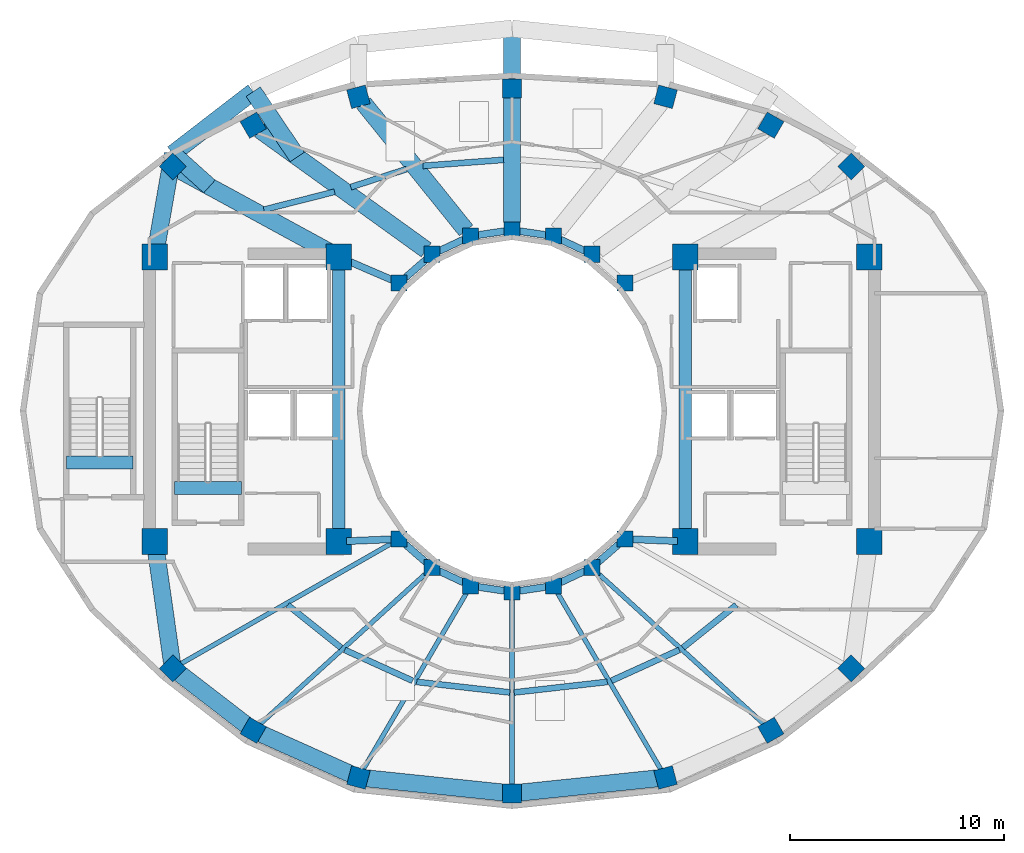
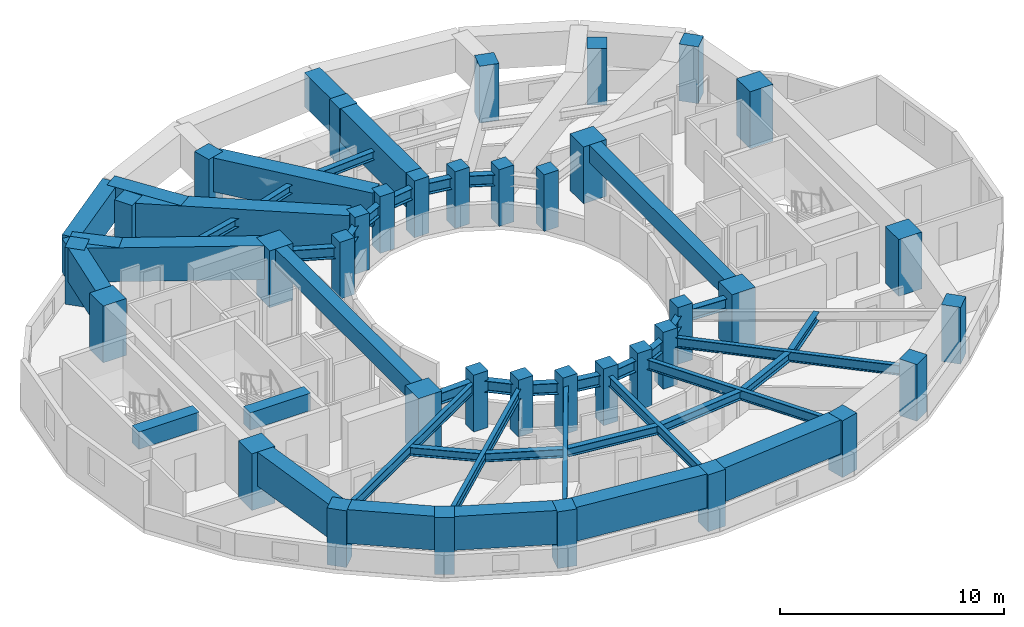
# One storey, part 1 of 9: 46 beams, 36 columns.
"""IFC4 building model written with IfcOpenShell, lengths in metres."""

import ifcopenshell
import ifcopenshell.guid

model = None  # the IFC model being written
_history = None  # IfcOwnerHistory: only IFC2X3 demands one
_inside = {}  # id of a spatial element -> (the spatial element, [elements in it])
_under = {}  # id of a project, library or spatial element -> (it, [spatial elements below it])
_declared = {}  # id of a project -> (the project, [libraries it declares])
_typed = {}  # id of a type object -> (the type object, [elements of that type])
_made_of = {}  # id of a material, layer set ... -> (it, [elements and type objects made of it])


def new_model(schema):
    """Start an empty IFC model of exactly this schema.

    Asked for "IFC4X3", IfcOpenShell would pick the latest addendum, in which some entities
    have other attributes; the version numbers below select the first issue.
    IFC2X3 requires an IfcOwnerHistory on every rooted entity: one is made here for all.
    """
    global model, _history
    if schema == "IFC4X3":
        model = ifcopenshell.file(schema_version=(4, 3, 0, 0))
    else:
        model = ifcopenshell.file(schema=schema)
    _inside.clear()
    _under.clear()
    _declared.clear()
    _typed.clear()
    _made_of.clear()
    _history = None
    if model.schema == "IFC2X3":
        org = make("IfcOrganization", Name="unknown")
        user = make(
            "IfcPersonAndOrganization",
            ThePerson=make("IfcPerson", FamilyName="unknown"),
            TheOrganization=org,
        )
        app = make(
            "IfcApplication",
            ApplicationDeveloper=org,
            Version="unknown",
            ApplicationFullName="unknown",
            ApplicationIdentifier="unknown",
        )
        _history = make(
            "IfcOwnerHistory",
            OwningUser=user,
            OwningApplication=app,
            ChangeAction="ADDED",
            CreationDate=0,
        )
    return model


def make(cls, **values):
    """One entity of the class cls with the attributes given. An attribute that is None is left unset."""
    return model.create_entity(
        cls, **{name: value for name, value in values.items() if value is not None}
    )


def rooted(cls, **values):
    """An entity with a GlobalId (a new one), such as an element, a storey or a relation."""
    return make(cls, GlobalId=ifcopenshell.guid.new(), OwnerHistory=_history, **values)


def si_unit(unit_type, name, prefix=None):
    """IfcSIUnit, for example si_unit("LENGTHUNIT", "METRE", prefix="MILLI")."""
    return make("IfcSIUnit", UnitType=unit_type, Prefix=prefix, Name=name)


def assignment(units):
    """IfcUnitAssignment: the units of a project."""
    return None if units is None else make("IfcUnitAssignment", Units=units)


def point(xyz):
    """IfcCartesianPoint."""
    return None if xyz is None else make("IfcCartesianPoint", Coordinates=xyz)


def direction(xyz):
    """IfcDirection."""
    return None if xyz is None else make("IfcDirection", DirectionRatios=xyz)


def frame(location, z_axis=None, x_axis=None):
    """IfcAxis2Placement3D, a coordinate frame: its origin and axes. An axis left out is left unset."""
    return make(
        "IfcAxis2Placement3D",
        Location=point(location),
        Axis=direction(z_axis),
        RefDirection=direction(x_axis),
    )


def frame_2d(location, x_axis=None):
    """IfcAxis2Placement2D, a coordinate frame in the plane: its origin and x axis."""
    return make(
        "IfcAxis2Placement2D", Location=point(location), RefDirection=direction(x_axis)
    )


def origin():
    """The frame at (0, 0, 0) with its axes left unset."""
    return frame((0.0, 0.0, 0.0))


def origin_2d():
    """The frame at (0, 0) in the plane with its x axis left unset."""
    return frame_2d((0.0, 0.0))


def place(relative_to, where):
    """IfcLocalPlacement: puts the frame where relative to a parent placement (None: the world)."""
    return make(
        "IfcLocalPlacement", PlacementRelTo=relative_to, RelativePlacement=where
    )


def context(
    kind, dimensions, precision=None, world=None, true_north=None, identifier=None
):
    """IfcGeometricRepresentationContext, for example the 3D "Model" context."""
    return make(
        "IfcGeometricRepresentationContext",
        ContextIdentifier=identifier,
        ContextType=kind,
        CoordinateSpaceDimension=dimensions,
        Precision=precision,
        WorldCoordinateSystem=world,
        TrueNorth=true_north,
    )


def subcontext(parent, identifier, kind, view, scale=None):
    """IfcGeometricRepresentationSubContext, for example "Body" below "Model"."""
    return make(
        "IfcGeometricRepresentationSubContext",
        ContextIdentifier=identifier,
        ContextType=kind,
        ParentContext=parent,
        TargetScale=scale,
        TargetView=view,
    )


def project(units=None, contexts=None):
    """IfcProject with its units and contexts."""
    return rooted(
        "IfcProject",
        Name="project",
        RepresentationContexts=contexts,
        UnitsInContext=assignment(units),
    )


def spatial(cls, under=None, at=None, **own):
    """A site, building, storey or space (cls), placed at a placement, below another one or the project."""
    s = rooted(cls, ObjectPlacement=at, **own)
    if under is not None:
        _under.setdefault(under.id(), (under, []))[1].append(s)
    return s


def profile(cls, at=None, kind="AREA", **sizes):
    """A parametric profile (cls). Its sizes go by their IFC names, for example OverallWidth=200.0."""
    return make(cls, ProfileType=kind, Position=at, **sizes)


def rectangle(**sizes):
    """IfcRectangleProfileDef."""
    return profile("IfcRectangleProfileDef", **sizes)


def i_section(**sizes):
    """IfcIShapeProfileDef."""
    return profile("IfcIShapeProfileDef", **sizes)


def extrude(swept, where, along, depth):
    """IfcExtrudedAreaSolid: the profile swept, set in the frame where, extruded along a direction by depth."""
    return make(
        "IfcExtrudedAreaSolid",
        SweptArea=swept,
        Position=where,
        ExtrudedDirection=direction(along),
        Depth=depth,
    )


def shape(context_of_items, identifier, shape_type, items):
    """IfcShapeRepresentation: the items that make up one representation, for example the "Body"."""
    return make(
        "IfcShapeRepresentation",
        ContextOfItems=context_of_items,
        RepresentationIdentifier=identifier,
        RepresentationType=shape_type,
        Items=items,
    )


def material(Name=None, Category=None):
    """IfcMaterial."""
    return make("IfcMaterial", Name=Name, Category=Category)


def material_profile(
    of_material, cross_section, Name=None, Category=None, Priority=None
):
    """IfcMaterialProfile: a cross section and its material."""
    return make(
        "IfcMaterialProfile",
        Name=Name,
        Material=of_material,
        Profile=cross_section,
        Priority=Priority,
        Category=Category,
    )


def profile_set(profiles, Name=None, composite=None):
    """IfcMaterialProfileSet."""
    return make(
        "IfcMaterialProfileSet",
        Name=Name,
        MaterialProfiles=profiles,
        CompositeProfile=composite,
    )


def made_of(thing, what):
    """Note that an element or type object is made of a material, layer set ...; save() writes the relation."""
    if what is not None:
        _made_of.setdefault(what.id(), (what, []))[1].append(thing)
    return thing


def type_object(cls, material=None, **own):
    """A type object (cls), such as IfcWallType, which elements share."""
    return made_of(rooted(cls, **own), material)


def element(
    cls,
    number,
    at=None,
    inside=None,
    cuts=None,
    type_object=None,
    material=None,
    context=None,
    identifier="Body",
    shape_type=None,
    held_by="IfcProductDefinitionShape",
    body=None,
    shapes=None,
    **own,
):
    """One element of the class cls, such as IfcWall. Its Tag is "e" and its number.

    at: its placement. inside: the storey or other place that contains it. cuts: it is an
    opening in that element (IfcRelVoidsElement). A single representation is given by context,
    identifier, shape_type and body (its items); several are given by shapes. held_by: the class
    of the entity that holds the representations. save() writes the other relations.
    """
    e = rooted(cls, Tag="e%d" % number, ObjectPlacement=at, **own)
    if body is not None:
        shapes = [shape(context, identifier, shape_type, body)]
    if shapes is not None:
        e.Representation = make(held_by, Representations=shapes)
    if inside is not None:
        _inside.setdefault(inside.id(), (inside, []))[1].append(e)
    if cuts is not None:
        rooted(
            "IfcRelVoidsElement", RelatingBuildingElement=cuts, RelatedOpeningElement=e
        )
    if type_object is not None:
        _typed.setdefault(type_object.id(), (type_object, []))[1].append(e)
    return made_of(e, material)


def aggregate(whole, parts):
    """IfcRelAggregates: a whole, such as a stair, and the parts it consists of."""
    return rooted("IfcRelAggregates", RelatingObject=whole, RelatedObjects=parts)


def save(model, path):
    """Write the relations noted so far, then the file.

    IfcRelAggregates (storeys below a building ...), IfcRelContainedInSpatialStructure (elements
    in a storey), IfcRelDefinesByType, IfcRelAssociatesMaterial and IfcRelDeclares: one each for
    every whole, place, type object, material and project.
    """
    for whole, parts in _under.values():
        aggregate(whole, parts)
    for where, things in _inside.values():
        rooted(
            "IfcRelContainedInSpatialStructure",
            RelatedElements=things,
            RelatingStructure=where,
        )
    for kind, things in _typed.values():
        rooted("IfcRelDefinesByType", RelatedObjects=things, RelatingType=kind)
    for what, things in _made_of.values():
        rooted("IfcRelAssociatesMaterial", RelatedObjects=things, RelatingMaterial=what)
    for by, libraries in _declared.values():
        rooted("IfcRelDeclares", RelatingContext=by, RelatedDefinitions=libraries)
    model.write(path)


model = new_model("IFC4")

# Units and contexts
model_context = context("Model", 3, precision=1e-05, world=origin(), true_north=direction((0.0, 1.0)))
body_context = subcontext(model_context, "Body", "Model", "MODEL_VIEW")
ifc_project = project(units=[si_unit("LENGTHUNIT", "METRE"), si_unit("AREAUNIT", "SQUARE_METRE"), si_unit("VOLUMEUNIT", "CUBIC_METRE"), si_unit("PLANEANGLEUNIT", "RADIAN"), si_unit("MASSUNIT", "GRAM", prefix="KILO")], contexts=[model_context])

# Site, building, storey
site_placement = place(None, origin())
site = spatial("IfcSite", under=ifc_project, at=site_placement, CompositionType="ELEMENT")
building_placement = place(site_placement, origin())
building = spatial("IfcBuilding", under=site, at=building_placement, Name="Solvane Sanctuary Tower", CompositionType="ELEMENT")
storey_placement = place(building_placement, frame((0.0, 0.0, 177.699951171875)))
storey = spatial("IfcBuildingStorey", under=building, at=storey_placement, Name="L54", CompositionType="ELEMENT", Elevation=177.699951171875)

# Columns
ifc_material_1 = material(Name="Concrete C50/60", Category="concrete")
ifc_material_profile_1 = material_profile(ifc_material_1, rectangle(XDim=0.75, YDim=0.75, at=origin_2d()), Name="RC750X750")
ifc_profile_set_1 = profile_set([ifc_material_profile_1], Name="Concrete C50/60")
column_type_1 = type_object("IfcColumnType", Name="Column C-RING-Z3 RC750X750", PredefinedType="COLUMN", material=ifc_profile_set_1)
for number, where, z_axis, x_axis, name in (
    (1, (37.27490234375, 28.982177734375, 0.0), (0.0, 0.0, 1.0), (1.0, 0.0, 0.0), "L54 Inner Light-Well Ring Column IC01"),
    (2, (35.72998046875, 30.32666015625, 0.0), (0.0, 0.0, 1.0), (1.0, 0.0, 0.0), "L54 Inner Light-Well Ring Column IC02"),
    (3, (33.930908203125, 31.171630859375, 0.0), (0.0, 0.0, 1.0), (1.0, 0.0, 0.0), "L54 Inner Light-Well Ring Column IC03"),
    (4, (32.0, 31.4599609375, 0.0), (0.0, 0.0, 1.0), (1.0, 0.0, 0.0), "L54 Inner Light-Well Ring Column IC04"),
    (5, (30.069091796875, 31.171630859375, 0.0), (0.0, 0.0, 1.0), (1.0, 0.0, 0.0), "L54 Inner Light-Well Ring Column IC05"),
    (6, (28.27001953125, 30.32666015625, 0.0), (0.0, 0.0, 1.0), (1.0, 0.0, 0.0), "L54 Inner Light-Well Ring Column IC06"),
    (7, (26.72509765625, 28.982177734375, 0.0), (0.0, 0.0, 1.0), (1.0, 0.0, 0.0), "L54 Inner Light-Well Ring Column IC07"),
    (8, (26.72509765625, 17.017822265625, 0.0), (0.0, 0.0, 1.0), (1.0, 0.0, 0.0), "L54 Inner Light-Well Ring Column IC08"),
    (9, (28.27001953125, 15.67333984375, 0.0), (0.0, 0.0, 1.0), (1.0, 0.0, 0.0), "L54 Inner Light-Well Ring Column IC09"),
    (10, (30.069091796875, 14.828369140625, 0.0), (0.0, 0.0, 1.0), (1.0, 0.0, 0.0), "L54 Inner Light-Well Ring Column IC10"),
    (11, (32.0, 14.5400390625, 0.0), (0.0, 0.0, 1.0), (1.0, 0.0, 0.0), "L54 Inner Light-Well Ring Column IC11"),
    (12, (33.930908203125, 14.828369140625, 0.0), (0.0, 0.0, 1.0), (1.0, 0.0, 0.0), "L54 Inner Light-Well Ring Column IC12"),
    (13, (35.72998046875, 15.67333984375, 0.0), (0.0, 0.0, 1.0), (1.0, 0.0, 0.0), "L54 Inner Light-Well Ring Column IC13"),
    (14, (37.27490234375, 17.017822265625, 0.0), (0.0, 0.0, 1.0), (1.0, 0.0, 0.0), "L54 Inner Light-Well Ring Column IC14"),
):
    element("IfcColumn", number, at=place(storey_placement, frame(where, z_axis=z_axis, x_axis=x_axis)), inside=storey, type_object=column_type_1, Name=name, PredefinedType="COLUMN", context=body_context, shape_type="SweptSolid", body=[
        extrude(rectangle(XDim=0.75, YDim=0.75, at=origin_2d()), origin(), (0.0, 0.0, 1.0), 3.10009765625),
    ])
ifc_material_2 = material(Name="Concrete C70/85", Category="concrete")
ifc_material_profile_2 = material_profile(ifc_material_2, rectangle(XDim=1.199951171875, YDim=1.199951171875, at=origin_2d()), Name="RC1200X1200")
ifc_profile_set_2 = profile_set([ifc_material_profile_2], Name="Concrete C70/85")
column_type_2 = type_object("IfcColumnType", Name="Column C-TUBE-Z1 RC1200X1200", PredefinedType="COLUMN", material=ifc_profile_set_2)
for number, where, z_axis, x_axis, name in (
    (15, (15.300048828125, 16.89990234375, 0.0), (0.0, 0.0, 1.0), (1.0, 0.0, 0.0), "L54 Core Corner Column CW1"),
    (16, (23.89990234375, 16.89990234375, 0.0), (0.0, 0.0, 1.0), (1.0, 0.0, 0.0), "L54 Core Corner Column CW2"),
    (17, (23.89990234375, 30.199951171875, 0.0), (0.0, 0.0, 1.0), (1.0, 0.0, 0.0), "L54 Core Corner Column CW3"),
    (18, (15.300048828125, 30.199951171875, 0.0), (0.0, 0.0, 1.0), (1.0, 0.0, 0.0), "L54 Core Corner Column CW4"),
    (19, (40.10009765625, 16.89990234375, 0.0), (0.0, 0.0, 1.0), (1.0, 0.0, 0.0), "L54 Core Corner Column CE1"),
    (20, (48.699951171875, 16.89990234375, 0.0), (0.0, 0.0, 1.0), (1.0, 0.0, 0.0), "L54 Core Corner Column CE2"),
    (21, (48.699951171875, 30.199951171875, 0.0), (0.0, 0.0, 1.0), (1.0, 0.0, 0.0), "L54 Core Corner Column CE3"),
    (22, (40.10009765625, 30.199951171875, 0.0), (0.0, 0.0, 1.0), (1.0, 0.0, 0.0), "L54 Core Corner Column CE4"),
):
    element("IfcColumn", number, at=place(storey_placement, frame(where, z_axis=z_axis, x_axis=x_axis)), inside=storey, type_object=column_type_2, Name=name, PredefinedType="COLUMN", context=body_context, shape_type="SweptSolid", body=[
        extrude(rectangle(XDim=1.199951171875, YDim=1.199951171875, at=origin_2d()), origin(), (0.0, 0.0, 1.0), 3.10009765625),
    ])
ifc_material_3 = material(Name="Concrete C60/75", Category="concrete")
ifc_material_profile_3 = material_profile(ifc_material_3, rectangle(XDim=0.89990234375, YDim=0.89990234375, at=origin_2d()), Name="RC900X900")
ifc_profile_set_3 = profile_set([ifc_material_profile_3], Name="Concrete C60/75")
column_type_3 = type_object("IfcColumnType", Name="Column C-TUBE-Z3 RC900X900", PredefinedType="COLUMN", material=ifc_profile_set_3)
for number, where, z_axis, x_axis, name in (
    (23, (47.856689453125, 34.426513671875, 0.0), (0.0, 0.0, 1.0), (0.707106781187, 0.707106781187, 0.0), "L54 Perimeter Tube Column TC01"),
    (24, (44.09814453125, 36.359375, 0.0), (0.0, 0.0, 1.0), (0.5, 0.866025403784, 0.0), "L54 Perimeter Tube Column TC02"),
    (25, (39.17822265625, 37.686767578125, 0.0), (0.0, 0.0, 1.0), (0.258819045103, 0.965925826289, 0.0), "L54 Perimeter Tube Column TC03"),
    (26, (32.0, 38.080078125, 0.0), (0.0, 0.0, 1.0), (0.0, 1.0, 0.0), "L54 Perimeter Tube Column TC04"),
    (27, (24.82177734375, 37.686767578125, 0.0), (0.0, 0.0, 1.0), (-0.258819045103, 0.965925826289, 0.0), "L54 Perimeter Tube Column TC05"),
    (28, (19.90185546875, 36.359375, 0.0), (0.0, 0.0, 1.0), (-0.5, 0.866025403784, 0.0), "L54 Perimeter Tube Column TC06"),
    (29, (16.143310546875, 34.426513671875, 0.0), (0.0, 0.0, 1.0), (-0.707106781187, 0.707106781187, 0.0), "L54 Perimeter Tube Column TC07"),
    (30, (16.143310546875, 10.968994140625, 0.0), (0.0, 0.0, 1.0), (-0.707106781187, -0.707106781187, 0.0), "L54 Perimeter Tube Column TC08"),
    (31, (19.90185546875, 8.072021484375, 0.0), (0.0, 0.0, 1.0), (-0.5, -0.866025403784, 0.0), "L54 Perimeter Tube Column TC09"),
    (32, (24.82177734375, 5.865478515625, 0.0), (0.0, 0.0, 1.0), (-0.258819045103, -0.965925826289, 0.0), "L54 Perimeter Tube Column TC10"),
    (33, (32.0, 5.1201171875, 0.0), (0.0, 0.0, 1.0), (0.0, -1.0, 0.0), "L54 Perimeter Tube Column TC11"),
    (34, (39.17822265625, 5.865478515625, 0.0), (0.0, 0.0, 1.0), (0.258819045103, -0.965925826289, 0.0), "L54 Perimeter Tube Column TC12"),
    (35, (44.09814453125, 8.072021484375, 0.0), (0.0, 0.0, 1.0), (0.5, -0.866025403784, 0.0), "L54 Perimeter Tube Column TC13"),
    (36, (47.856689453125, 10.968994140625, 0.0), (0.0, 0.0, 1.0), (0.707106781187, -0.707106781187, 0.0), "L54 Perimeter Tube Column TC14"),
):
    element("IfcColumn", number, at=place(storey_placement, frame(where, z_axis=z_axis, x_axis=x_axis)), inside=storey, type_object=column_type_3, Name=name, PredefinedType="COLUMN", context=body_context, shape_type="SweptSolid", body=[
        extrude(rectangle(XDim=0.89990234375, YDim=0.89990234375, at=origin_2d()), origin(), (0.0, 0.0, 1.0), 3.10009765625),
    ])

# Beams
ifc_material_profile_4 = material_profile(ifc_material_2, rectangle(XDim=0.60009765625, YDim=0.949951171875, at=origin_2d()), Name="RC600X950")
ifc_profile_set_4 = profile_set([ifc_material_profile_4], Name="Concrete C70/85")
beam_type_1 = type_object("IfcBeamType", Name="Beam B-COUPLE RC600X950", PredefinedType="LINTEL", material=ifc_profile_set_4)
for number, where, z_axis, x_axis, name in (
    (37, (23.89990234375, 17.35009765625, 2.625), (0.0, 1.0, 0.0), (-1.0, 0.0, 0.0), "L54 West Core Coupling Lintel"),
    (38, (40.10009765625, 17.35009765625, 2.625), (0.0, 1.0, 0.0), (-1.0, 0.0, 0.0), "L54 East Core Coupling Lintel"),
):
    element("IfcBeam", number, at=place(storey_placement, frame(where, z_axis=z_axis, x_axis=x_axis)), inside=storey, type_object=beam_type_1, Name=name, PredefinedType="LINTEL", context=body_context, shape_type="SweptSolid", body=[
        extrude(rectangle(XDim=0.60009765625, YDim=0.949951171875, at=origin_2d()), origin(), (0.0, 0.0, 1.0), 12.39990234375),
    ])
for number, where, z_axis, x_axis, name in (
    (39, (16.22998046875, 19.399169921875, 2.625), (1.0, 0.0, 0.0), (0.0, 1.0, 0.0), "L54 ST-1 Stair Floor Landing Trimmer"),
    (40, (11.169921875, 20.59912109375, 2.625), (1.0, 0.0, 0.0), (0.0, 1.0, 0.0), "L54 ST-3 Stair Floor Landing Trimmer"),
):
    element("IfcBeam", number, at=place(storey_placement, frame(where, z_axis=z_axis, x_axis=x_axis)), inside=storey, type_object=beam_type_1, Name=name, PredefinedType="LINTEL", context=body_context, shape_type="SweptSolid", body=[
        extrude(rectangle(XDim=0.60009765625, YDim=0.949951171875, at=origin_2d()), origin(), (0.0, 0.0, 1.0), 3.1201171875),
    ])
ifc_material_4 = material(Name="Steel ASTM A992 Grade 50", Category="steel")
ifc_material_profile_5 = material_profile(ifc_material_4, i_section(OverallWidth=0.214111328125, OverallDepth=0.549072265625, WebThickness=0.0146484375, FlangeThickness=0.023681640625, FilletRadius=0.014892578125, at=origin_2d()), Name="W21X93")
ifc_profile_set_5 = profile_set([ifc_material_profile_5], Name="Steel ASTM A992 Grade 50")
beam_type_2 = type_object("IfcBeamType", Name="Beam B-RAD-Z3 W21X93", PredefinedType="JOIST", material=ifc_profile_set_5)
beam_1_placement = place(storey_placement, frame((26.48193359375, 16.87890625, 2.323486328125), z_axis=(-0.86816302692, -0.496279113694, 0.0), x_axis=(0.496279113694, -0.86816302692, 0.0)))
element("IfcBeam", 41, at=beam_1_placement, inside=storey, type_object=beam_type_2, Name="L54 Radial Composite Floor Beam 08", PredefinedType="JOIST", context=body_context, shape_type="SweptSolid", body=[
    extrude(i_section(OverallWidth=0.214111328125, OverallDepth=0.549072265625, WebThickness=0.0146484375, FlangeThickness=0.023681640625, FilletRadius=0.014892578125, at=origin_2d()), origin(), (0.0, 0.0, 1.0), 11.62841796875),
])
beam_2_placement = place(storey_placement, frame((28.062744140625, 15.485107421875, 2.323486328125), z_axis=(-0.74020423772, -0.672382098558, 0.0), x_axis=(0.672382098558, -0.74020423772, 0.0)))
element("IfcBeam", 42, at=beam_2_placement, inside=storey, type_object=beam_type_2, Name="L54 Radial Composite Floor Beam 09", PredefinedType="JOIST", context=body_context, shape_type="SweptSolid", body=[
    extrude(i_section(OverallWidth=0.214111328125, OverallDepth=0.549072265625, WebThickness=0.0146484375, FlangeThickness=0.023681640625, FilletRadius=0.014892578125, at=origin_2d()), origin(), (0.0, 0.0, 1.0), 10.7451171875),
])
beam_3_placement = place(storey_placement, frame((29.927734375, 14.586669921875, 2.323486328125), z_axis=(-0.505243742555, -0.862976686017, 0.0), x_axis=(0.862976686017, -0.505243742555, 0.0)))
element("IfcBeam", 43, at=beam_3_placement, inside=storey, type_object=beam_type_2, Name="L54 Radial Composite Floor Beam 10", PredefinedType="JOIST", context=body_context, shape_type="SweptSolid", body=[
    extrude(i_section(OverallWidth=0.214111328125, OverallDepth=0.549072265625, WebThickness=0.0146484375, FlangeThickness=0.023681640625, FilletRadius=0.014892578125, at=origin_2d()), origin(), (0.0, 0.0, 1.0), 9.826171875),
])
beam_4_placement = place(storey_placement, frame((32.0, 14.260009765625, 2.323486328125), z_axis=(0.0, -1.0, 0.0), x_axis=(1.0, 0.0, 0.0)))
element("IfcBeam", 44, at=beam_4_placement, inside=storey, type_object=beam_type_2, Name="L54 Radial Composite Floor Beam 11", PredefinedType="JOIST", context=body_context, shape_type="SweptSolid", body=[
    extrude(i_section(OverallWidth=0.214111328125, OverallDepth=0.549072265625, WebThickness=0.0146484375, FlangeThickness=0.023681640625, FilletRadius=0.014892578125, at=origin_2d()), origin(), (0.0, 0.0, 1.0), 8.860107421875),
])
beam_5_placement = place(storey_placement, frame((34.072265625, 14.586669921875, 2.323486328125), z_axis=(0.505243742555, -0.862976686017, 0.0), x_axis=(0.862976686017, 0.505243742555, 0.0)))
element("IfcBeam", 45, at=beam_5_placement, inside=storey, type_object=beam_type_2, Name="L54 Radial Composite Floor Beam 12", PredefinedType="JOIST", context=body_context, shape_type="SweptSolid", body=[
    extrude(i_section(OverallWidth=0.214111328125, OverallDepth=0.549072265625, WebThickness=0.0146484375, FlangeThickness=0.023681640625, FilletRadius=0.014892578125, at=origin_2d()), origin(), (0.0, 0.0, 1.0), 9.826171875),
])
beam_6_placement = place(storey_placement, frame((35.937255859375, 15.485107421875, 2.323486328125), z_axis=(0.74020423772, -0.672382098558, 0.0), x_axis=(0.672382098558, 0.74020423772, 0.0)))
element("IfcBeam", 46, at=beam_6_placement, inside=storey, type_object=beam_type_2, Name="L54 Radial Composite Floor Beam 13", PredefinedType="JOIST", context=body_context, shape_type="SweptSolid", body=[
    extrude(i_section(OverallWidth=0.214111328125, OverallDepth=0.549072265625, WebThickness=0.0146484375, FlangeThickness=0.023681640625, FilletRadius=0.014892578125, at=origin_2d()), origin(), (0.0, 0.0, 1.0), 10.7451171875),
])
ifc_material_profile_6 = material_profile(ifc_material_4, i_section(OverallWidth=0.324951171875, OverallDepth=0.615966796875, WebThickness=0.013916015625, FlangeThickness=0.021484375, FilletRadius=0.01611328125, at=origin_2d()), Name="W24X117")
ifc_profile_set_6 = profile_set([ifc_material_profile_6], Name="Steel ASTM A992 Grade 50")
beam_type_3 = type_object("IfcBeamType", Name="Beam B-RING-IN2 W24X117", PredefinedType="BEAM", material=ifc_profile_set_6)
beam_7_placement = place(storey_placement, frame((24.230712890625, 30.0576171875, 2.2900390625), z_axis=(0.918264067649, -0.395968561966, 0.0), x_axis=(0.395968561966, 0.918264067649, 0.0)))
element("IfcBeam", 47, at=beam_7_placement, inside=storey, type_object=beam_type_3, Name="L54 Inner Light-Well Ring Beam CW3-IC07", PredefinedType="BEAM", context=body_context, shape_type="SweptSolid", body=[
    extrude(i_section(OverallWidth=0.324951171875, OverallDepth=0.615966796875, WebThickness=0.013916015625, FlangeThickness=0.021484375, FilletRadius=0.01611328125, at=origin_2d()), origin(), (0.0, 0.0, 1.0), 2.371337890625),
])
beam_8_placement = place(storey_placement, frame((26.9853515625, 29.20849609375, 2.2900390625), z_axis=(0.754311313851, 0.656516901379, 0.0), x_axis=(-0.656516901379, 0.754311313851, 0.0)))
element("IfcBeam", 48, at=beam_8_placement, inside=storey, type_object=beam_type_3, Name="L54 Inner Light-Well Ring Beam IC07-IC06", PredefinedType="BEAM", context=body_context, shape_type="SweptSolid", body=[
    extrude(i_section(OverallWidth=0.324951171875, OverallDepth=0.615966796875, WebThickness=0.013916015625, FlangeThickness=0.021484375, FilletRadius=0.01611328125, at=origin_2d()), origin(), (0.0, 0.0, 1.0), 1.358154296875),
])
beam_9_placement = place(storey_placement, frame((28.582275390625, 30.473388671875, 2.2900390625), z_axis=(0.9051808128, 0.425026700502, 0.0), x_axis=(-0.425026700502, 0.9051808128, 0.0)))
element("IfcBeam", 49, at=beam_9_placement, inside=storey, type_object=beam_type_3, Name="L54 Inner Light-Well Ring Beam IC06-IC05", PredefinedType="BEAM", context=body_context, shape_type="SweptSolid", body=[
    extrude(i_section(OverallWidth=0.324951171875, OverallDepth=0.615966796875, WebThickness=0.013916015625, FlangeThickness=0.021484375, FilletRadius=0.01611328125, at=origin_2d()), origin(), (0.0, 0.0, 1.0), 1.297607421875),
])
for number, where, z_axis, x_axis, name in (
    (50, (30.410400390625, 31.22265625, 2.2900390625), (0.989019905763, 0.147782360259, 0.0), (-0.147782360259, 0.989019905763, 0.0), "L54 Inner Light-Well Ring Beam IC05-IC04"),
    (51, (32.34130859375, 31.4091796875, 2.2900390625), (0.989019905763, -0.147782360259, 0.0), (0.147782360259, 0.989019905763, 0.0), "L54 Inner Light-Well Ring Beam IC04-IC03"),
):
    element("IfcBeam", number, at=place(storey_placement, frame(where, z_axis=z_axis, x_axis=x_axis)), inside=storey, type_object=beam_type_3, Name=name, PredefinedType="BEAM", context=body_context, shape_type="SweptSolid", body=[
        extrude(i_section(OverallWidth=0.324951171875, OverallDepth=0.615966796875, WebThickness=0.013916015625, FlangeThickness=0.021484375, FilletRadius=0.01611328125, at=origin_2d()), origin(), (0.0, 0.0, 1.0), 1.26220703125),
    ])
beam_10_placement = place(storey_placement, frame((34.2431640625, 31.02490234375, 2.2900390625), z_axis=(0.9051808128, -0.425026700502, 0.0), x_axis=(0.425026700502, 0.9051808128, 0.0)))
element("IfcBeam", 52, at=beam_10_placement, inside=storey, type_object=beam_type_3, Name="L54 Inner Light-Well Ring Beam IC03-IC02", PredefinedType="BEAM", context=body_context, shape_type="SweptSolid", body=[
    extrude(i_section(OverallWidth=0.324951171875, OverallDepth=0.615966796875, WebThickness=0.013916015625, FlangeThickness=0.021484375, FilletRadius=0.01611328125, at=origin_2d()), origin(), (0.0, 0.0, 1.0), 1.297607421875),
])
beam_11_placement = place(storey_placement, frame((24.259765625, 16.9150390625, 2.2900390625), z_axis=(0.999132674336, 0.041640113759, 0.0), x_axis=(-0.041640113759, 0.999132674336, 0.0)))
element("IfcBeam", 53, at=beam_11_placement, inside=storey, type_object=beam_type_3, Name="L54 Inner Light-Well Ring Beam CW2-IC08", PredefinedType="BEAM", context=body_context, shape_type="SweptSolid", body=[
    extrude(i_section(OverallWidth=0.324951171875, OverallDepth=0.615966796875, WebThickness=0.013916015625, FlangeThickness=0.021484375, FilletRadius=0.01611328125, at=origin_2d()), origin(), (0.0, 0.0, 1.0), 2.12255859375),
])
beam_12_placement = place(storey_placement, frame((26.9853515625, 16.79150390625, 2.2900390625), z_axis=(0.754311313851, -0.656516901379, 0.0), x_axis=(0.656516901379, 0.754311313851, 0.0)))
element("IfcBeam", 54, at=beam_12_placement, inside=storey, type_object=beam_type_3, Name="L54 Inner Light-Well Ring Beam IC08-IC09", PredefinedType="BEAM", context=body_context, shape_type="SweptSolid", body=[
    extrude(i_section(OverallWidth=0.324951171875, OverallDepth=0.615966796875, WebThickness=0.013916015625, FlangeThickness=0.021484375, FilletRadius=0.01611328125, at=origin_2d()), origin(), (0.0, 0.0, 1.0), 1.358154296875),
])
beam_13_placement = place(storey_placement, frame((28.582275390625, 15.526611328125, 2.2900390625), z_axis=(0.9051808128, -0.425026700502, 0.0), x_axis=(0.425026700502, 0.9051808128, 0.0)))
element("IfcBeam", 55, at=beam_13_placement, inside=storey, type_object=beam_type_3, Name="L54 Inner Light-Well Ring Beam IC09-IC10", PredefinedType="BEAM", context=body_context, shape_type="SweptSolid", body=[
    extrude(i_section(OverallWidth=0.324951171875, OverallDepth=0.615966796875, WebThickness=0.013916015625, FlangeThickness=0.021484375, FilletRadius=0.01611328125, at=origin_2d()), origin(), (0.0, 0.0, 1.0), 1.297607421875),
])
for number, where, z_axis, x_axis, name in (
    (56, (30.410400390625, 14.77734375, 2.2900390625), (0.989019905763, -0.147782360259, 0.0), (0.147782360259, 0.989019905763, 0.0), "L54 Inner Light-Well Ring Beam IC10-IC11"),
    (57, (32.34130859375, 14.5908203125, 2.2900390625), (0.989019905763, 0.147782360259, 0.0), (-0.147782360259, 0.989019905763, 0.0), "L54 Inner Light-Well Ring Beam IC11-IC12"),
):
    element("IfcBeam", number, at=place(storey_placement, frame(where, z_axis=z_axis, x_axis=x_axis)), inside=storey, type_object=beam_type_3, Name=name, PredefinedType="BEAM", context=body_context, shape_type="SweptSolid", body=[
        extrude(i_section(OverallWidth=0.324951171875, OverallDepth=0.615966796875, WebThickness=0.013916015625, FlangeThickness=0.021484375, FilletRadius=0.01611328125, at=origin_2d()), origin(), (0.0, 0.0, 1.0), 1.26220703125),
    ])
beam_14_placement = place(storey_placement, frame((34.2431640625, 14.97509765625, 2.2900390625), z_axis=(0.9051808128, 0.425026700502, 0.0), x_axis=(-0.425026700502, 0.9051808128, 0.0)))
element("IfcBeam", 58, at=beam_14_placement, inside=storey, type_object=beam_type_3, Name="L54 Inner Light-Well Ring Beam IC12-IC13", PredefinedType="BEAM", context=body_context, shape_type="SweptSolid", body=[
    extrude(i_section(OverallWidth=0.324951171875, OverallDepth=0.615966796875, WebThickness=0.013916015625, FlangeThickness=0.021484375, FilletRadius=0.01611328125, at=origin_2d()), origin(), (0.0, 0.0, 1.0), 1.297607421875),
])
beam_15_placement = place(storey_placement, frame((35.990234375, 15.89990234375, 2.2900390625), z_axis=(0.754311313851, 0.656516901379, 0.0), x_axis=(-0.656516901379, 0.754311313851, 0.0)))
element("IfcBeam", 59, at=beam_15_placement, inside=storey, type_object=beam_type_3, Name="L54 Inner Light-Well Ring Beam IC13-IC14", PredefinedType="BEAM", context=body_context, shape_type="SweptSolid", body=[
    extrude(i_section(OverallWidth=0.324951171875, OverallDepth=0.615966796875, WebThickness=0.013916015625, FlangeThickness=0.021484375, FilletRadius=0.01611328125, at=origin_2d()), origin(), (0.0, 0.0, 1.0), 1.358154296875),
])
beam_16_placement = place(storey_placement, frame((37.61962890625, 17.00341796875, 2.2900390625), z_axis=(0.999132674336, -0.041640113759, 0.0), x_axis=(0.041640113759, 0.999132674336, 0.0)))
element("IfcBeam", 60, at=beam_16_placement, inside=storey, type_object=beam_type_3, Name="L54 Inner Light-Well Ring Beam IC14-CE1", PredefinedType="BEAM", context=body_context, shape_type="SweptSolid", body=[
    extrude(i_section(OverallWidth=0.324951171875, OverallDepth=0.615966796875, WebThickness=0.013916015625, FlangeThickness=0.021484375, FilletRadius=0.01611328125, at=origin_2d()), origin(), (0.0, 0.0, 1.0), 2.12255859375),
])
ifc_material_profile_7 = material_profile(ifc_material_4, i_section(OverallWidth=0.280029296875, OverallDepth=0.462890625, WebThickness=0.0107421875, FlangeThickness=0.017333984375, FilletRadius=0.013916015625, at=origin_2d()), Name="W18X76")
ifc_profile_set_7 = profile_set([ifc_material_profile_7], Name="Steel ASTM A992 Grade 50")
beam_type_4 = type_object("IfcBeamType", Name="Beam B-SEC-JOIST W18X76", PredefinedType="JOIST", material=ifc_profile_set_7)
beam_17_placement = place(storey_placement, frame((20.404541015625, 32.41015625, 2.366455078125), z_axis=(0.969356710845, 0.245657418247, 0.0), x_axis=(-0.245657418247, 0.969356710845, 0.0)))
element("IfcBeam", 61, at=beam_17_placement, inside=storey, type_object=beam_type_4, Name="L54 Secondary Circumferential Joist 07-06", PredefinedType="JOIST", context=body_context, shape_type="SweptSolid", body=[
    extrude(i_section(OverallWidth=0.280029296875, OverallDepth=0.462890625, WebThickness=0.0107421875, FlangeThickness=0.017333984375, FilletRadius=0.013916015625, at=origin_2d()), origin(), (0.0, 0.0, 1.0), 3.40283203125),
])
beam_18_placement = place(storey_placement, frame((24.4619140625, 33.464599609375, 2.366455078125), z_axis=(0.951512791017, 0.30760918148, 0.0), x_axis=(-0.30760918148, 0.951512791017, 0.0)))
element("IfcBeam", 62, at=beam_18_placement, inside=storey, type_object=beam_type_4, Name="L54 Secondary Circumferential Joist 06-05", PredefinedType="JOIST", context=body_context, shape_type="SweptSolid", body=[
    extrude(i_section(OverallWidth=0.280029296875, OverallDepth=0.462890625, WebThickness=0.0107421875, FlangeThickness=0.017333984375, FilletRadius=0.013916015625, at=origin_2d()), origin(), (0.0, 0.0, 1.0), 2.740478515625),
])
beam_19_placement = place(storey_placement, frame((27.83935546875, 34.458740234375, 2.366455078125), z_axis=(0.997214593532, 0.074585886379, 0.0), x_axis=(-0.074585886379, 0.997214593532, 0.0)))
element("IfcBeam", 63, at=beam_19_placement, inside=storey, type_object=beam_type_4, Name="L54 Secondary Circumferential Joist 05-04", PredefinedType="JOIST", context=body_context, shape_type="SweptSolid", body=[
    extrude(i_section(OverallWidth=0.280029296875, OverallDepth=0.462890625, WebThickness=0.0107421875, FlangeThickness=0.017333984375, FilletRadius=0.013916015625, at=origin_2d()), origin(), (0.0, 0.0, 1.0), 3.77734375),
])
beam_20_placement = place(storey_placement, frame((21.513916015625, 13.9296875, 2.366455078125), z_axis=(0.780950896308, -0.62459242515, 0.0), x_axis=(0.62459242515, 0.780950896308, 0.0)))
element("IfcBeam", 64, at=beam_20_placement, inside=storey, type_object=beam_type_4, Name="L54 Secondary Circumferential Joist 08-09", PredefinedType="JOIST", context=body_context, shape_type="SweptSolid", body=[
    extrude(i_section(OverallWidth=0.280029296875, OverallDepth=0.462890625, WebThickness=0.0107421875, FlangeThickness=0.017333984375, FilletRadius=0.013916015625, at=origin_2d()), origin(), (0.0, 0.0, 1.0), 3.191650390625),
])
beam_21_placement = place(storey_placement, frame((24.178955078125, 11.83056640625, 2.366455078125), z_axis=(0.910462399508, -0.413591850842, 0.0), x_axis=(0.413591850842, 0.910462399508, 0.0)))
element("IfcBeam", 65, at=beam_21_placement, inside=storey, type_object=beam_type_4, Name="L54 Secondary Circumferential Joist 09-10", PredefinedType="JOIST", context=body_context, shape_type="SweptSolid", body=[
    extrude(i_section(OverallWidth=0.280029296875, OverallDepth=0.462890625, WebThickness=0.0107421875, FlangeThickness=0.017333984375, FilletRadius=0.013916015625, at=origin_2d()), origin(), (0.0, 0.0, 1.0), 3.485595703125),
])
for number, where, z_axis, x_axis, name in (
    (66, (27.546875, 10.335205078125, 2.366455078125), (0.993627549834, -0.112713318696, 0.0), (0.112713318696, 0.993627549834, 0.0), "L54 Secondary Circumferential Joist 10-11"),
    (67, (32.101318359375, 9.841552734375, 2.366455078125), (0.993627549834, 0.112713318696, 0.0), (-0.112713318696, 0.993627549834, 0.0), "L54 Secondary Circumferential Joist 11-12"),
):
    element("IfcBeam", number, at=place(storey_placement, frame(where, z_axis=z_axis, x_axis=x_axis)), inside=storey, type_object=beam_type_4, Name=name, PredefinedType="JOIST", context=body_context, shape_type="SweptSolid", body=[
        extrude(i_section(OverallWidth=0.280029296875, OverallDepth=0.462890625, WebThickness=0.0107421875, FlangeThickness=0.017333984375, FilletRadius=0.013916015625, at=origin_2d()), origin(), (0.0, 0.0, 1.0), 4.379638671875),
    ])
beam_22_placement = place(storey_placement, frame((36.6474609375, 10.388916015625, 2.366455078125), z_axis=(0.910474379443, 0.413565477739, 0.0), x_axis=(-0.413565477739, 0.910474379443, 0.0)))
element("IfcBeam", 68, at=beam_22_placement, inside=storey, type_object=beam_type_4, Name="L54 Secondary Circumferential Joist 12-13", PredefinedType="JOIST", context=body_context, shape_type="SweptSolid", body=[
    extrude(i_section(OverallWidth=0.280029296875, OverallDepth=0.462890625, WebThickness=0.0107421875, FlangeThickness=0.017333984375, FilletRadius=0.013916015625, at=origin_2d()), origin(), (0.0, 0.0, 1.0), 3.48583984375),
])
beam_23_placement = place(storey_placement, frame((39.993896484375, 11.936279296875, 2.366455078125), z_axis=(0.78092105122, 0.624629739735, 0.0), x_axis=(-0.624629739735, 0.78092105122, 0.0)))
element("IfcBeam", 69, at=beam_23_placement, inside=storey, type_object=beam_type_4, Name="L54 Secondary Circumferential Joist 13-14", PredefinedType="JOIST", context=body_context, shape_type="SweptSolid", body=[
    extrude(i_section(OverallWidth=0.280029296875, OverallDepth=0.462890625, WebThickness=0.0107421875, FlangeThickness=0.017333984375, FilletRadius=0.013916015625, at=origin_2d()), origin(), (0.0, 0.0, 1.0), 3.19140625),
])
ifc_material_profile_8 = material_profile(ifc_material_2, rectangle(XDim=0.800048828125, YDim=1.85009765625, at=origin_2d()), Name="RC800X1850")
ifc_profile_set_8 = profile_set([ifc_material_profile_8], Name="Concrete C70/85")
beam_type_5 = type_object("IfcBeamType", Name="Beam B-XFER-BLK RC800X1850", PredefinedType="BEAM", material=ifc_profile_set_8)
beam_24_placement = place(storey_placement, frame((32.0, 31.804931640625, 2.175048828125), z_axis=(0.0, 1.0, 0.0), x_axis=(-1.0, 0.0, 0.0)))
element("IfcBeam", 70, at=beam_24_placement, inside=storey, type_object=beam_type_5, Name="L54 Block-Shift Radial Transfer Girder 04A", PredefinedType="BEAM", context=body_context, shape_type="SweptSolid", body=[
    extrude(rectangle(XDim=0.800048828125, YDim=1.85009765625, at=origin_2d()), origin(), (0.0, 0.0, 1.0), 9.074951171875),
])
beam_25_placement = place(storey_placement, frame((29.852783203125, 31.4404296875, 2.175048828125), z_axis=(-0.627295131383, 0.778781624169, 0.0), x_axis=(-0.778781624169, -0.627295131383, 0.0)))
element("IfcBeam", 71, at=beam_25_placement, inside=storey, type_object=beam_type_5, Name="L54 Block-Shift Radial Transfer Girder 05A", PredefinedType="BEAM", context=body_context, shape_type="SweptSolid", body=[
    extrude(rectangle(XDim=0.800048828125, YDim=1.85009765625, at=origin_2d()), origin(), (0.0, 0.0, 1.0), 7.650390625),
])
beam_26_placement = place(storey_placement, frame((27.989990234375, 30.5283203125, 2.175048828125), z_axis=(-0.811184514133, 0.584790290643, 0.0), x_axis=(-0.584790290643, -0.811184514133, 0.0)))
element("IfcBeam", 72, at=beam_26_placement, inside=storey, type_object=beam_type_5, Name="L54 Block-Shift Radial Transfer Girder 06A", PredefinedType="BEAM", context=body_context, shape_type="SweptSolid", body=[
    extrude(rectangle(XDim=0.800048828125, YDim=1.85009765625, at=origin_2d()), origin(), (0.0, 0.0, 1.0), 9.600830078125),
])
beam_27_placement = place(storey_placement, frame((21.96337890625, 34.873291015625, 2.175048828125), z_axis=(-0.559400033837, 0.828897823705, 0.0), x_axis=(-0.828897823705, -0.559400033837, 0.0)))
element("IfcBeam", 73, at=beam_27_placement, inside=storey, type_object=beam_type_5, Name="L54 Block-Shift Transfer Tie 06B", PredefinedType="BEAM", context=body_context, shape_type="SweptSolid", body=[
    extrude(rectangle(XDim=0.800048828125, YDim=1.85009765625, at=origin_2d()), origin(), (0.0, 0.0, 1.0), 3.685302734375),
])
beam_28_placement = place(storey_placement, frame((23.583984375, 30.372314453125, 2.175048828125), z_axis=(-0.878108492406, 0.47846157167, 0.0), x_axis=(-0.47846157167, -0.878108492406, 0.0)))
element("IfcBeam", 74, at=beam_28_placement, inside=storey, type_object=beam_type_5, Name="L54 Block-Shift Radial Transfer Girder 07A", PredefinedType="BEAM", context=body_context, shape_type="SweptSolid", body=[
    extrude(rectangle(XDim=0.800048828125, YDim=1.85009765625, at=origin_2d()), origin(), (0.0, 0.0, 1.0), 8.103515625),
])
beam_29_placement = place(storey_placement, frame((17.855712890625, 33.493408203125, 2.175048828125), z_axis=(-0.744063778649, 0.668108593945, 0.0), x_axis=(-0.668108593945, -0.744063778649, 0.0)))
element("IfcBeam", 75, at=beam_29_placement, inside=storey, type_object=beam_type_5, Name="L54 Block-Shift Transfer Tie 07B", PredefinedType="BEAM", context=body_context, shape_type="SweptSolid", body=[
    extrude(rectangle(XDim=0.800048828125, YDim=1.85009765625, at=origin_2d()), origin(), (0.0, 0.0, 1.0), 2.301513671875),
])
beam_30_placement = place(storey_placement, frame((15.36181640625, 30.5546875, 2.175048828125), z_axis=(0.171982816413, 0.98509994968, 0.0), x_axis=(-0.98509994968, 0.171982816413, 0.0)))
element("IfcBeam", 76, at=beam_30_placement, inside=storey, type_object=beam_type_5, Name="L54 Perimeter Step Transfer Ring CW4-NTC07", PredefinedType="BEAM", context=body_context, shape_type="SweptSolid", body=[
    extrude(rectangle(XDim=0.800048828125, YDim=1.85009765625, at=origin_2d()), origin(), (0.0, 0.0, 1.0), 4.5439453125),
])
beam_31_placement = place(storey_placement, frame((16.143310546875, 35.031005859375, 2.175048828125), z_axis=(0.792034554649, 0.610476260179, 0.0), x_axis=(-0.610476260179, 0.792034554649, 0.0)))
element("IfcBeam", 77, at=beam_31_placement, inside=storey, type_object=beam_type_5, Name="L54 Perimeter Step Transfer Ring NTC07-NTC06", PredefinedType="BEAM", context=body_context, shape_type="SweptSolid", body=[
    extrude(rectangle(XDim=0.800048828125, YDim=1.85009765625, at=origin_2d()), origin(), (0.0, 0.0, 1.0), 4.745361328125),
])
beam_32_placement = place(storey_placement, frame((15.3505859375, 16.543701171875, 2.175048828125), z_axis=(0.1407839619, -0.990040340628, 0.0), x_axis=(0.990040340628, 0.1407839619, 0.0)))
element("IfcBeam", 78, at=beam_32_placement, inside=storey, type_object=beam_type_5, Name="L54 Perimeter Step Transfer Ring CW1-NTC08", PredefinedType="BEAM", context=body_context, shape_type="SweptSolid", body=[
    extrude(rectangle(XDim=0.800048828125, YDim=1.85009765625, at=origin_2d()), origin(), (0.0, 0.0, 1.0), 5.630859375),
])
beam_33_placement = place(storey_placement, frame((16.143310546875, 10.968994140625, 2.175048828125), z_axis=(0.792034554649, -0.610476260179, 0.0), x_axis=(0.610476260179, 0.792034554649, 0.0)))
element("IfcBeam", 79, at=beam_33_placement, inside=storey, type_object=beam_type_5, Name="L54 Perimeter Step Transfer Ring NTC08-NTC09", PredefinedType="BEAM", context=body_context, shape_type="SweptSolid", body=[
    extrude(rectangle(XDim=0.800048828125, YDim=1.85009765625, at=origin_2d()), origin(), (0.0, 0.0, 1.0), 4.745361328125),
])
beam_34_placement = place(storey_placement, frame((19.90185546875, 8.072021484375, 2.175048828125), z_axis=(0.912435879272, -0.409219704092, 0.0), x_axis=(0.409219704092, 0.912435879272, 0.0)))
element("IfcBeam", 80, at=beam_34_placement, inside=storey, type_object=beam_type_5, Name="L54 Perimeter Step Transfer Ring NTC09-NTC10", PredefinedType="BEAM", context=body_context, shape_type="SweptSolid", body=[
    extrude(rectangle(XDim=0.800048828125, YDim=1.85009765625, at=origin_2d()), origin(), (0.0, 0.0, 1.0), 5.39208984375),
])
for number, where, z_axis, x_axis, name in (
    (81, (24.82177734375, 5.865478515625, 2.175048828125), (0.994652199756, -0.10328117699, 0.0), (0.10328117699, 0.994652199756, 0.0), "L54 Perimeter Step Transfer Ring NTC10-NTC11"),
    (82, (32.0, 5.1201171875, 2.175048828125), (0.994652199756, 0.10328117699, 0.0), (-0.10328117699, 0.994652199756, 0.0), "L54 Perimeter Step Transfer Ring NTC11-NTC12"),
):
    element("IfcBeam", number, at=place(storey_placement, frame(where, z_axis=z_axis, x_axis=x_axis)), inside=storey, type_object=beam_type_5, Name=name, PredefinedType="BEAM", context=body_context, shape_type="SweptSolid", body=[
        extrude(rectangle(XDim=0.800048828125, YDim=1.85009765625, at=origin_2d()), origin(), (0.0, 0.0, 1.0), 7.216796875),
    ])

save(model, "model.ifc")
